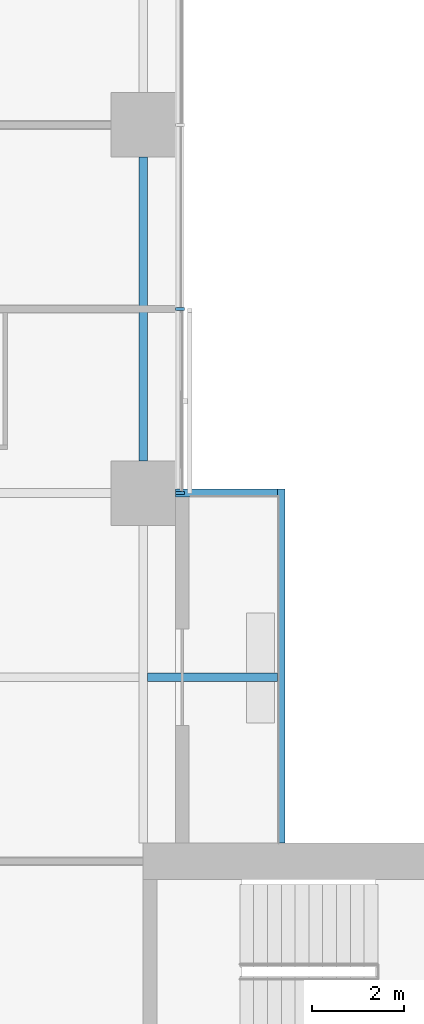
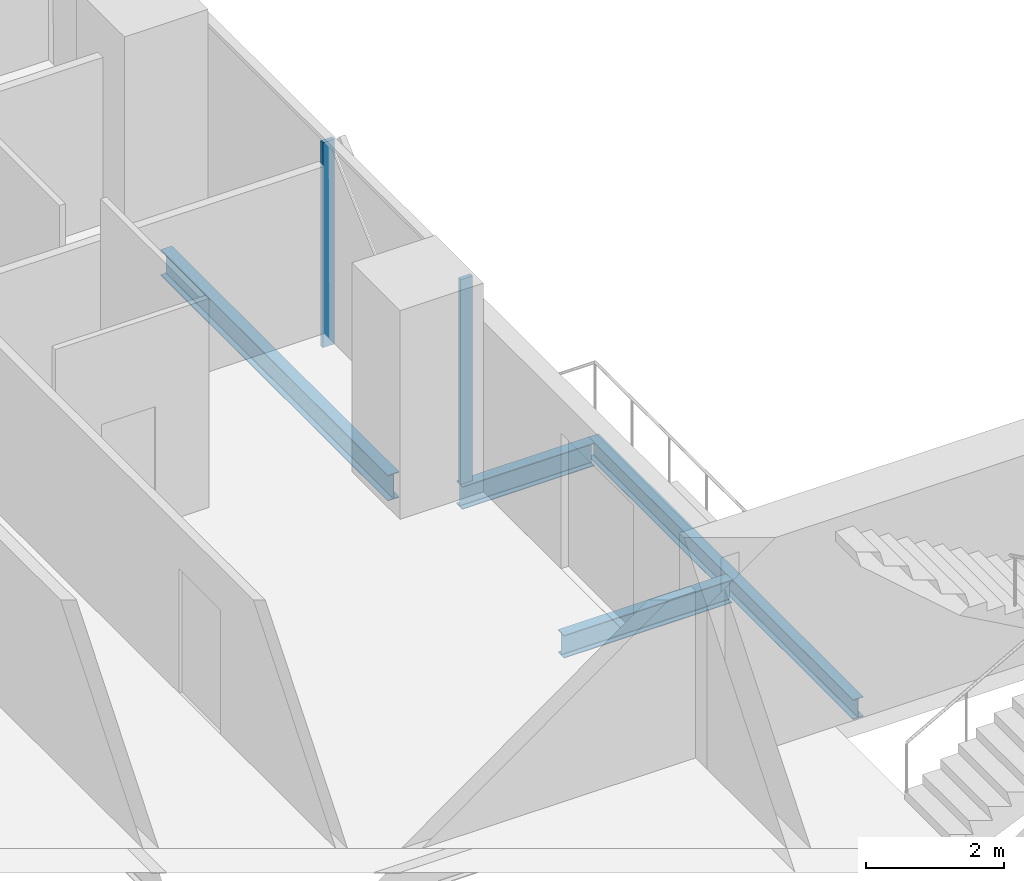
# One storey, part 10 of 27: 4 beams, 2 members, 1 element without a shape of its own.
"""IFC4 building model written with IfcOpenShell, lengths in metres."""

from ifc_helpers import new_model, si_unit, direction, frame, origin, origin_2d, place, context, subcontext, project, spatial, rectangle, i_section, extrude, material, material_profile, profile_set, type_object, element, aggregate, save


model = new_model("IFC4")

# Units and contexts
model_context = context("Model", 3, precision=1e-05, world=origin(), true_north=direction((0.0, 1.0)))
body_context = subcontext(model_context, "Body", "Model", "MODEL_VIEW")
ifc_project = project(units=[si_unit("LENGTHUNIT", "METRE"), si_unit("AREAUNIT", "SQUARE_METRE"), si_unit("VOLUMEUNIT", "CUBIC_METRE"), si_unit("PLANEANGLEUNIT", "RADIAN"), si_unit("MASSUNIT", "GRAM", prefix="KILO")], contexts=[model_context])

# Site, building, storey
site_placement = place(None, origin())
site = spatial("IfcSite", under=ifc_project, at=site_placement, CompositionType="ELEMENT")
building_placement = place(site_placement, origin())
building = spatial("IfcBuilding", under=site, at=building_placement, Name="Crosswind Convention Tower", CompositionType="ELEMENT")
storey_placement = place(building_placement, frame((0.0, 0.0, 83.10009765625)))
storey = spatial("IfcBuildingStorey", under=building, at=storey_placement, Name="L15", CompositionType="ELEMENT", Elevation=83.10009765625)

# Beams
ifc_material_1 = material(Name="Steel S355", Category="steel")
ifc_material_profile_1 = material_profile(ifc_material_1, i_section(OverallWidth=0.177734375, OverallDepth=0.406494140625, WebThickness=0.0078125, FlangeThickness=0.0126953125, FilletRadius=0.01025390625, at=origin_2d()), Name="UB 406x178x60")
ifc_profile_set_1 = profile_set([ifc_material_profile_1], Name="Steel S355")
beam_type_1 = type_object("IfcBeamType", Name="Balcony cantilever UB 406x178x60", PredefinedType="BEAM", material=ifc_profile_set_1)
beam_1_placement = place(storey_placement, frame((137.09521484375, 116.0, -0.4833984375), z_axis=(1.0, 0.0, 0.0), x_axis=(0.0, 1.0, 0.0)))
element("IfcBeam", 1, at=beam_1_placement, inside=storey, type_object=beam_type_1, Name="B35 L15 balcony cantilever NE 1", PredefinedType="BEAM", context=body_context, shape_type="SweptSolid", body=[
    extrude(i_section(OverallWidth=0.177734375, OverallDepth=0.406494140625, WebThickness=0.0078125, FlangeThickness=0.0126953125, FilletRadius=0.01025390625, at=origin_2d()), origin(), (0.0, 0.0, 1.0), 2.8193359375),
])
beam_2_placement = place(storey_placement, frame((137.699951171875, 120.0, -0.4833984375), z_axis=(1.0, 0.0, 0.0), x_axis=(0.0, 1.0, 0.0)))
element("IfcBeam", 2, at=beam_2_placement, inside=storey, type_object=beam_type_1, Name="B35 L15 balcony cantilever NE 2", PredefinedType="BEAM", context=body_context, shape_type="SweptSolid", body=[
    extrude(i_section(OverallWidth=0.177734375, OverallDepth=0.406494140625, WebThickness=0.0078125, FlangeThickness=0.0126953125, FilletRadius=0.01025390625, at=origin_2d()), origin(), (0.0, 0.0, 1.0), 2.214599609375),
])
ifc_material_profile_2 = material_profile(ifc_material_1, i_section(OverallWidth=0.1708984375, OverallDepth=0.35205078125, WebThickness=0.0068359375, FlangeThickness=0.009765625, FilletRadius=0.01025390625, at=origin_2d()), Name="UB 356x171x45")
ifc_profile_set_2 = profile_set([ifc_material_profile_2], Name="Steel S355")
beam_type_2 = type_object("IfcBeamType", Name="Balcony edge beam UB 356x171x45", PredefinedType="BEAM", material=ifc_profile_set_2)
beam_3_placement = place(storey_placement, frame((140.0, 112.39990234375, -0.4560546875), z_axis=(0.0, 1.0, 0.0), x_axis=(-1.0, 0.0, 0.0)))
element("IfcBeam", 3, at=beam_3_placement, inside=storey, type_object=beam_type_2, Name="B37 L15 balcony edge beam NE 3", PredefinedType="BEAM", context=body_context, shape_type="SweptSolid", body=[
    extrude(i_section(OverallWidth=0.1708984375, OverallDepth=0.35205078125, WebThickness=0.0068359375, FlangeThickness=0.009765625, FilletRadius=0.01025390625, at=origin_2d()), origin(), (0.0, 0.0, 1.0), 7.68896484375),
])
ifc_material_profile_3 = material_profile(ifc_material_1, i_section(OverallWidth=0.1904296875, OverallDepth=0.457275390625, WebThickness=0.009033203125, FlangeThickness=0.014404296875, FilletRadius=0.01025390625, at=origin_2d()), Name="UB 457x191x75")
ifc_profile_set_3 = profile_set([ifc_material_profile_3], Name="Steel S355")
beam_type_3 = type_object("IfcBeamType", Name="Edge beam UB 457x191x75", PredefinedType="SPANDREL", material=ifc_profile_set_3)
beam_4_placement = place(storey_placement, frame((137.0, 120.699951171875, -0.5087890625), z_axis=(0.0, 1.0, 0.0), x_axis=(-1.0, 0.0, 0.0)))
element("IfcBeam", 4, at=beam_4_placement, inside=storey, type_object=beam_type_3, Name="B17 L15 edge beam 22", PredefinedType="SPANDREL", context=body_context, shape_type="SweptSolid", body=[
    extrude(i_section(OverallWidth=0.1904296875, OverallDepth=0.457275390625, WebThickness=0.009033203125, FlangeThickness=0.014404296875, FilletRadius=0.01025390625, at=origin_2d()), origin(), (0.0, 0.0, 1.0), 6.60009765625),
])

# Curtain wall, members
ifc_material_2 = material(Name="Aluminium unitised curtain wall", Category="aluminium")
curtain_wall_type = type_object("IfcCurtainWallType", Name="HOTEL UNITISED WALL 200", PredefinedType="USERDEFINED", material=ifc_material_2)
curtain_wall_placement = place(storey_placement, origin())
curtain_wall = element("IfcCurtainWall", 5, at=curtain_wall_placement, inside=storey, type_object=curtain_wall_type, Name="CW2 L15 N-E 1", ObjectType="UNITISED", PredefinedType="USERDEFINED")
ifc_material_3 = material(Name="Aluminium mullion", Category="aluminium")
ifc_material_profile_4 = material_profile(ifc_material_3, rectangle(XDim=0.199951171875, YDim=0.06494140625, at=origin_2d()), Name="AL 200X65")
ifc_profile_set_4 = profile_set([ifc_material_profile_4], Name="Aluminium mullion")
member_type = type_object("IfcMemberType", Name="MULLION 65X200", PredefinedType="MULLION", material=ifc_profile_set_4)
member_1_placement = place(storey_placement, frame((137.800048828125, 120.0, -0.280029296875), z_axis=(0.0, 0.0, 1.0), x_axis=(1.0, 0.0, 0.0)))
member_1 = element("IfcMember", 6, at=member_1_placement, type_object=member_type, Name="CW2 mullion 1", PredefinedType="MULLION", context=body_context, shape_type="SweptSolid", body=[
    extrude(rectangle(XDim=0.199951171875, YDim=0.06494140625, at=origin_2d()), origin(), (0.0, 0.0, 1.0), 3.635009765625),
])
member_2_placement = place(storey_placement, frame((137.800048828125, 124.0, -0.280029296875), z_axis=(0.0, 0.0, 1.0), x_axis=(1.0, 0.0, 0.0)))
member_2 = element("IfcMember", 7, at=member_2_placement, type_object=member_type, Name="CW2 mullion 2", PredefinedType="MULLION", context=body_context, shape_type="SweptSolid", body=[
    extrude(rectangle(XDim=0.199951171875, YDim=0.06494140625, at=origin_2d()), origin(), (0.0, 0.0, 1.0), 3.635009765625),
])
aggregate(curtain_wall, [member_1, member_2])

save(model, "model.ifc")
